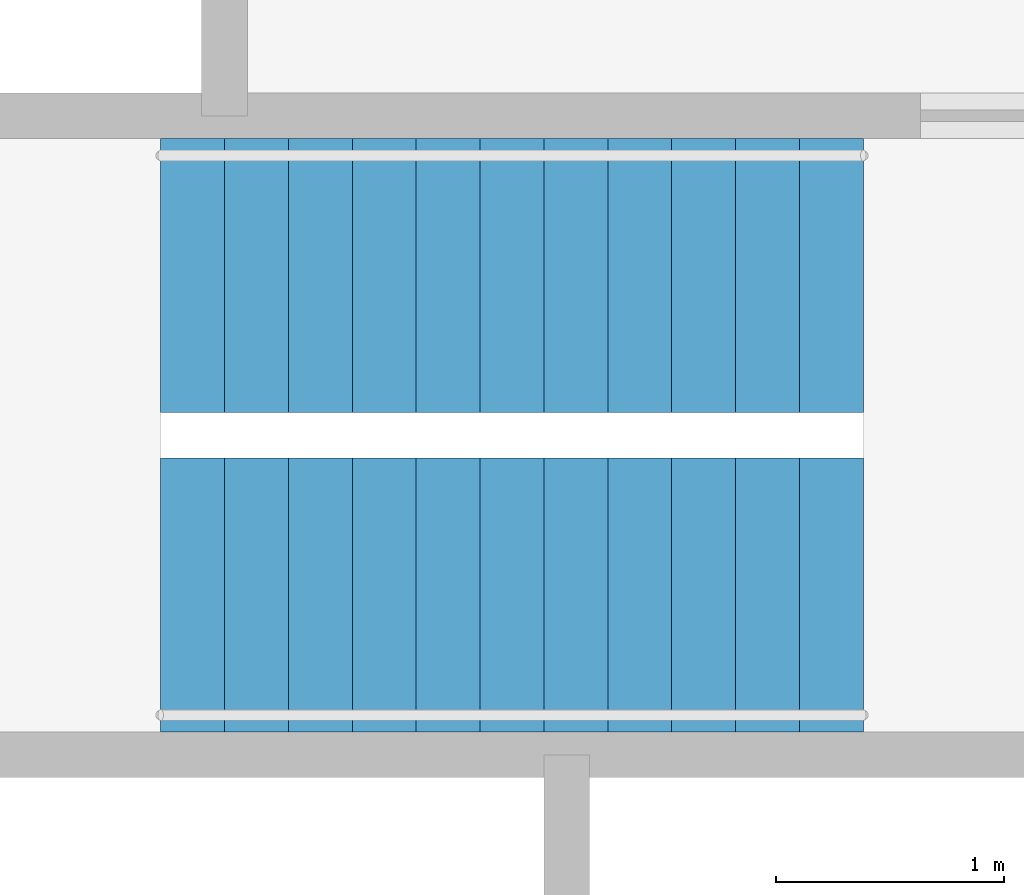
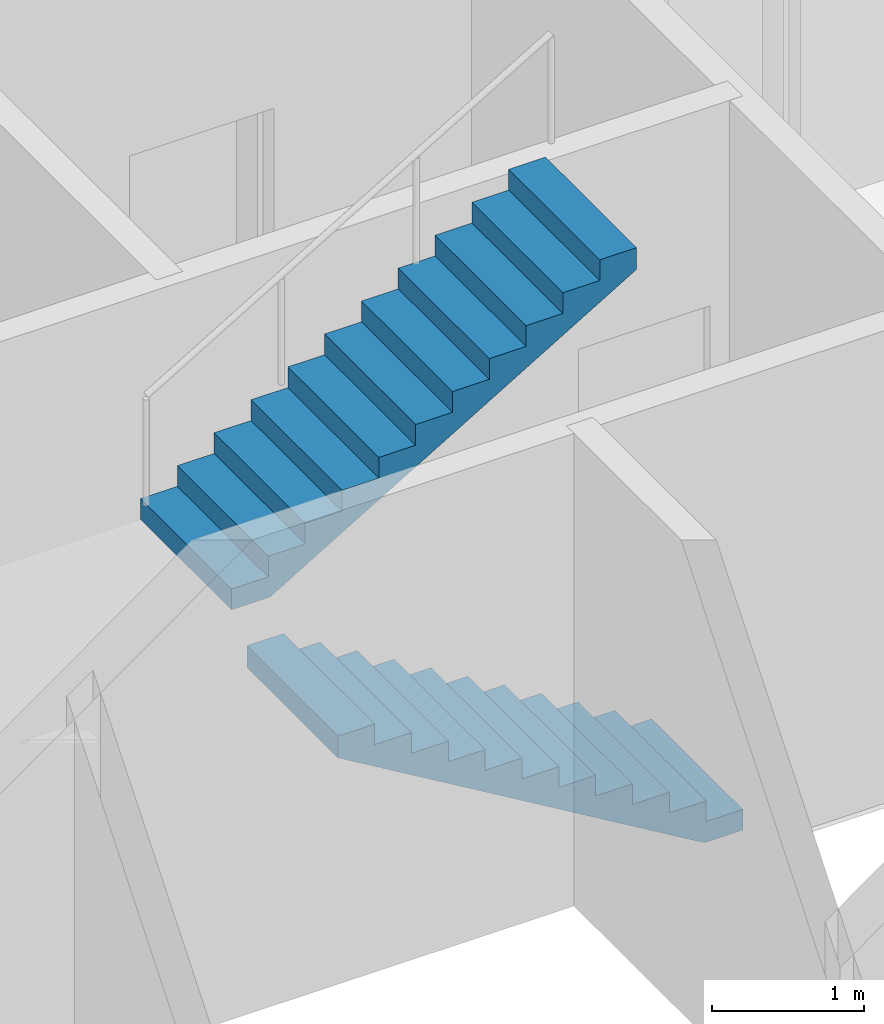
# One storey, part 14 of 16: 2 stair flights, 1 element without a shape of its own.
"""IFC4 building model written with IfcOpenShell, lengths in metres."""

import ifcopenshell
import ifcopenshell.guid

model = None  # the IFC model being written
_history = None  # IfcOwnerHistory: only IFC2X3 demands one
_inside = {}  # id of a spatial element -> (the spatial element, [elements in it])
_under = {}  # id of a project, library or spatial element -> (it, [spatial elements below it])
_declared = {}  # id of a project -> (the project, [libraries it declares])
_typed = {}  # id of a type object -> (the type object, [elements of that type])
_made_of = {}  # id of a material, layer set ... -> (it, [elements and type objects made of it])


def new_model(schema):
    """Start an empty IFC model of exactly this schema.

    Asked for "IFC4X3", IfcOpenShell would pick the latest addendum, in which some entities
    have other attributes; the version numbers below select the first issue.
    IFC2X3 requires an IfcOwnerHistory on every rooted entity: one is made here for all.
    """
    global model, _history
    if schema == "IFC4X3":
        model = ifcopenshell.file(schema_version=(4, 3, 0, 0))
    else:
        model = ifcopenshell.file(schema=schema)
    _inside.clear()
    _under.clear()
    _declared.clear()
    _typed.clear()
    _made_of.clear()
    _history = None
    if model.schema == "IFC2X3":
        org = make("IfcOrganization", Name="unknown")
        user = make(
            "IfcPersonAndOrganization",
            ThePerson=make("IfcPerson", FamilyName="unknown"),
            TheOrganization=org,
        )
        app = make(
            "IfcApplication",
            ApplicationDeveloper=org,
            Version="unknown",
            ApplicationFullName="unknown",
            ApplicationIdentifier="unknown",
        )
        _history = make(
            "IfcOwnerHistory",
            OwningUser=user,
            OwningApplication=app,
            ChangeAction="ADDED",
            CreationDate=0,
        )
    return model


def make(cls, **values):
    """One entity of the class cls with the attributes given. An attribute that is None is left unset."""
    return model.create_entity(
        cls, **{name: value for name, value in values.items() if value is not None}
    )


def rooted(cls, **values):
    """An entity with a GlobalId (a new one), such as an element, a storey or a relation."""
    return make(cls, GlobalId=ifcopenshell.guid.new(), OwnerHistory=_history, **values)


def si_unit(unit_type, name, prefix=None):
    """IfcSIUnit, for example si_unit("LENGTHUNIT", "METRE", prefix="MILLI")."""
    return make("IfcSIUnit", UnitType=unit_type, Prefix=prefix, Name=name)


def assignment(units):
    """IfcUnitAssignment: the units of a project."""
    return None if units is None else make("IfcUnitAssignment", Units=units)


def point(xyz):
    """IfcCartesianPoint."""
    return None if xyz is None else make("IfcCartesianPoint", Coordinates=xyz)


def direction(xyz):
    """IfcDirection."""
    return None if xyz is None else make("IfcDirection", DirectionRatios=xyz)


def frame(location, z_axis=None, x_axis=None):
    """IfcAxis2Placement3D, a coordinate frame: its origin and axes. An axis left out is left unset."""
    return make(
        "IfcAxis2Placement3D",
        Location=point(location),
        Axis=direction(z_axis),
        RefDirection=direction(x_axis),
    )


def origin():
    """The frame at (0, 0, 0) with its axes left unset."""
    return frame((0.0, 0.0, 0.0))


def place(relative_to, where):
    """IfcLocalPlacement: puts the frame where relative to a parent placement (None: the world)."""
    return make(
        "IfcLocalPlacement", PlacementRelTo=relative_to, RelativePlacement=where
    )


def context(
    kind, dimensions, precision=None, world=None, true_north=None, identifier=None
):
    """IfcGeometricRepresentationContext, for example the 3D "Model" context."""
    return make(
        "IfcGeometricRepresentationContext",
        ContextIdentifier=identifier,
        ContextType=kind,
        CoordinateSpaceDimension=dimensions,
        Precision=precision,
        WorldCoordinateSystem=world,
        TrueNorth=true_north,
    )


def subcontext(parent, identifier, kind, view, scale=None):
    """IfcGeometricRepresentationSubContext, for example "Body" below "Model"."""
    return make(
        "IfcGeometricRepresentationSubContext",
        ContextIdentifier=identifier,
        ContextType=kind,
        ParentContext=parent,
        TargetScale=scale,
        TargetView=view,
    )


def project(units=None, contexts=None):
    """IfcProject with its units and contexts."""
    return rooted(
        "IfcProject",
        Name="project",
        RepresentationContexts=contexts,
        UnitsInContext=assignment(units),
    )


def spatial(cls, under=None, at=None, **own):
    """A site, building, storey or space (cls), placed at a placement, below another one or the project."""
    s = rooted(cls, ObjectPlacement=at, **own)
    if under is not None:
        _under.setdefault(under.id(), (under, []))[1].append(s)
    return s


def polyline(points):
    """IfcPolyline through the points."""
    return make("IfcPolyline", Points=[point(p) for p in points])


def outline(outer, holes=None, kind="AREA"):
    """IfcArbitraryClosedProfileDef: a profile drawn as a closed curve; with holes, ...WithVoids."""
    if holes is None:
        return make("IfcArbitraryClosedProfileDef", ProfileType=kind, OuterCurve=outer)
    return make(
        "IfcArbitraryProfileDefWithVoids",
        ProfileType=kind,
        OuterCurve=outer,
        InnerCurves=holes,
    )


def extrude(swept, where, along, depth):
    """IfcExtrudedAreaSolid: the profile swept, set in the frame where, extruded along a direction by depth."""
    return make(
        "IfcExtrudedAreaSolid",
        SweptArea=swept,
        Position=where,
        ExtrudedDirection=direction(along),
        Depth=depth,
    )


def shape(context_of_items, identifier, shape_type, items):
    """IfcShapeRepresentation: the items that make up one representation, for example the "Body"."""
    return make(
        "IfcShapeRepresentation",
        ContextOfItems=context_of_items,
        RepresentationIdentifier=identifier,
        RepresentationType=shape_type,
        Items=items,
    )


def material(Name=None, Category=None):
    """IfcMaterial."""
    return make("IfcMaterial", Name=Name, Category=Category)


def made_of(thing, what):
    """Note that an element or type object is made of a material, layer set ...; save() writes the relation."""
    if what is not None:
        _made_of.setdefault(what.id(), (what, []))[1].append(thing)
    return thing


def type_object(cls, material=None, **own):
    """A type object (cls), such as IfcWallType, which elements share."""
    return made_of(rooted(cls, **own), material)


def element(
    cls,
    number,
    at=None,
    inside=None,
    cuts=None,
    type_object=None,
    material=None,
    context=None,
    identifier="Body",
    shape_type=None,
    held_by="IfcProductDefinitionShape",
    body=None,
    shapes=None,
    **own,
):
    """One element of the class cls, such as IfcWall. Its Tag is "e" and its number.

    at: its placement. inside: the storey or other place that contains it. cuts: it is an
    opening in that element (IfcRelVoidsElement). A single representation is given by context,
    identifier, shape_type and body (its items); several are given by shapes. held_by: the class
    of the entity that holds the representations. save() writes the other relations.
    """
    e = rooted(cls, Tag="e%d" % number, ObjectPlacement=at, **own)
    if body is not None:
        shapes = [shape(context, identifier, shape_type, body)]
    if shapes is not None:
        e.Representation = make(held_by, Representations=shapes)
    if inside is not None:
        _inside.setdefault(inside.id(), (inside, []))[1].append(e)
    if cuts is not None:
        rooted(
            "IfcRelVoidsElement", RelatingBuildingElement=cuts, RelatedOpeningElement=e
        )
    if type_object is not None:
        _typed.setdefault(type_object.id(), (type_object, []))[1].append(e)
    return made_of(e, material)


def aggregate(whole, parts):
    """IfcRelAggregates: a whole, such as a stair, and the parts it consists of."""
    return rooted("IfcRelAggregates", RelatingObject=whole, RelatedObjects=parts)


def save(model, path):
    """Write the relations noted so far, then the file.

    IfcRelAggregates (storeys below a building ...), IfcRelContainedInSpatialStructure (elements
    in a storey), IfcRelDefinesByType, IfcRelAssociatesMaterial and IfcRelDeclares: one each for
    every whole, place, type object, material and project.
    """
    for whole, parts in _under.values():
        aggregate(whole, parts)
    for where, things in _inside.values():
        rooted(
            "IfcRelContainedInSpatialStructure",
            RelatedElements=things,
            RelatingStructure=where,
        )
    for kind, things in _typed.values():
        rooted("IfcRelDefinesByType", RelatedObjects=things, RelatingType=kind)
    for what, things in _made_of.values():
        rooted("IfcRelAssociatesMaterial", RelatedObjects=things, RelatingMaterial=what)
    for by, libraries in _declared.values():
        rooted("IfcRelDeclares", RelatingContext=by, RelatedDefinitions=libraries)
    model.write(path)


model = new_model("IFC4")

# Units and contexts
model_context = context("Model", 3, precision=1e-05, world=origin(), true_north=direction((0.0, 1.0)))
body_context = subcontext(model_context, "Body", "Model", "MODEL_VIEW")
ifc_project = project(units=[si_unit("LENGTHUNIT", "METRE"), si_unit("AREAUNIT", "SQUARE_METRE"), si_unit("VOLUMEUNIT", "CUBIC_METRE"), si_unit("PLANEANGLEUNIT", "RADIAN"), si_unit("MASSUNIT", "GRAM", prefix="KILO")], contexts=[model_context])

# Site, building, storey
site_placement = place(None, origin())
site = spatial("IfcSite", under=ifc_project, at=site_placement, CompositionType="ELEMENT")
building_placement = place(site_placement, origin())
building = spatial("IfcBuilding", under=site, at=building_placement, Name="Fenwick Lantern Interchange", CompositionType="ELEMENT")
storey_placement = place(building_placement, frame((0.0, 0.0, 177.800048828125)))
storey = spatial("IfcBuildingStorey", under=building, at=storey_placement, Name="L41", CompositionType="ELEMENT", Elevation=177.800048828125)

# Stair, stair flights
ifc_material = material(Name="Precast concrete f'c 35 MPa", Category="concrete")
stair_type = type_object("IfcStairType", Name="EXIT STAIR 1200", PredefinedType="HALF_TURN_STAIR", material=ifc_material)
stair_placement = place(storey_placement, origin())
stair = element("IfcStair", 1, at=stair_placement, inside=storey, type_object=stair_type, Name="Exit stair ST2", PredefinedType="HALF_TURN_STAIR")
stair_flight_type = type_object("IfcStairFlightType", Name="STAIR FLIGHT 1200", PredefinedType="STRAIGHT", material=ifc_material)
stair_flight_1_placement = place(storey_placement, frame((28.199951171875, 30.699951171875, 0.0), z_axis=(0.0, 0.0, 1.0), x_axis=(-1.0, 0.0, 0.0)))
stair_flight_1 = element("IfcStairFlight", 2, at=stair_flight_1_placement, type_object=stair_flight_type, Name="ST2 flight 1", NumberOfRisers=12, NumberOfTreads=11, PredefinedType="STRAIGHT", RiserHeight=0.166666667, TreadLength=0.28, context=body_context, shape_type="SweptSolid", body=[
    extrude(outline(polyline([(0.0, 0.0), (0.0, 0.166748046875), (0.280029296875, 0.166748046875), (0.280029296875, 0.333251953125), (0.56005859375, 0.333251953125), (0.56005859375, 0.5), (0.840087890625, 0.5), (0.840087890625, 0.666748046875), (1.1201171875, 0.666748046875), (1.1201171875, 0.833251953125), (1.39990234375, 0.833251953125), (1.39990234375, 1.0), (1.679931640625, 1.0), (1.679931640625, 1.166748046875), (1.9599609375, 1.166748046875), (1.9599609375, 1.333251953125), (2.239990234375, 1.333251953125), (2.239990234375, 1.5), (2.52001953125, 1.5), (2.52001953125, 1.666748046875), (2.800048828125, 1.666748046875), (2.800048828125, 1.833251953125), (3.080078125, 1.833251953125), (3.080078125, 2.0), (3.080078125, 1.658935546875), (0.29296875, 0.0), (0.0, 0.0)])), frame((0.0, 0.60009765625, 0.0), z_axis=(0.0, -1.0, 0.0), x_axis=(1.0, 0.0, 0.0)), (0.0, 0.0, 1.0), 1.199951171875),
])
stair_flight_2_placement = place(storey_placement, frame((25.1201171875, 32.10009765625, 2.0), z_axis=(0.0, 0.0, 1.0), x_axis=(1.0, 0.0, 0.0)))
stair_flight_2 = element("IfcStairFlight", 3, at=stair_flight_2_placement, type_object=stair_flight_type, Name="ST2 flight 2", NumberOfRisers=12, NumberOfTreads=11, PredefinedType="STRAIGHT", RiserHeight=0.166666667, TreadLength=0.28, context=body_context, shape_type="SweptSolid", body=[
    extrude(outline(polyline([(0.0, 0.0), (0.0, 0.166748046875), (0.280029296875, 0.166748046875), (0.280029296875, 0.333251953125), (0.56005859375, 0.333251953125), (0.56005859375, 0.5), (0.840087890625, 0.5), (0.840087890625, 0.666748046875), (1.1201171875, 0.666748046875), (1.1201171875, 0.833251953125), (1.39990234375, 0.833251953125), (1.39990234375, 1.0), (1.679931640625, 1.0), (1.679931640625, 1.166748046875), (1.9599609375, 1.166748046875), (1.9599609375, 1.333251953125), (2.239990234375, 1.333251953125), (2.239990234375, 1.5), (2.52001953125, 1.5), (2.52001953125, 1.666748046875), (2.800048828125, 1.666748046875), (2.800048828125, 1.833251953125), (3.080078125, 1.833251953125), (3.080078125, 2.0), (3.080078125, 1.658935546875), (0.29296875, 0.0), (0.0, 0.0)])), frame((0.0, 0.60009765625, 0.0), z_axis=(0.0, -1.0, 0.0), x_axis=(1.0, 0.0, 0.0)), (0.0, 0.0, 1.0), 1.199951171875),
])
aggregate(stair, [stair_flight_1, stair_flight_2])

save(model, "model.ifc")
